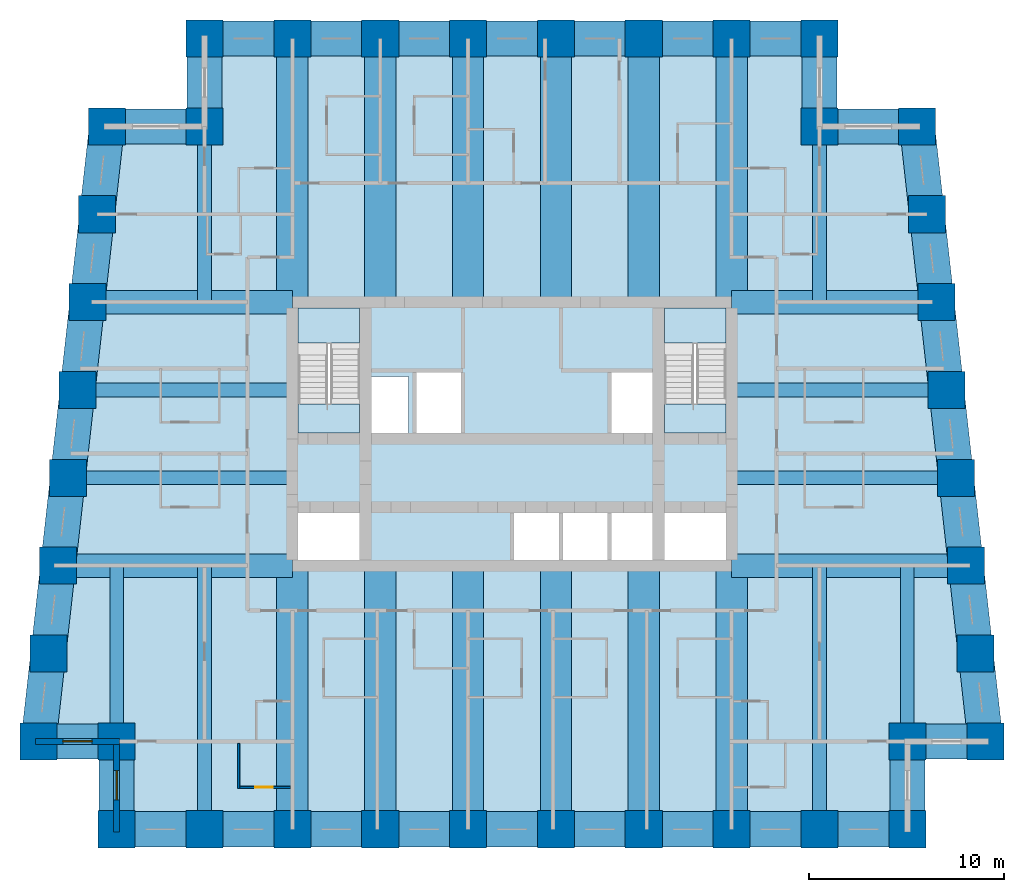
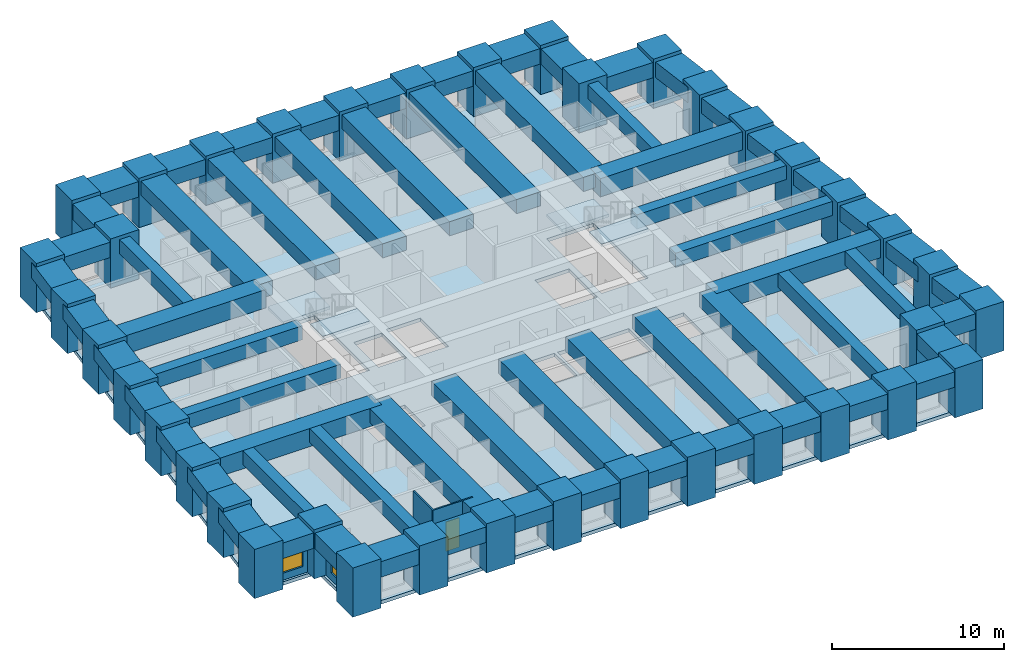
# One storey, part 1 of 8: 64 beams, 38 columns, 5 slabs, 4 walls, 2 windows, 1 door, 3 openings, 2 elements without a shape of their own.
"""IFC4 building model written with IfcOpenShell, lengths in metres."""

from ifc_helpers import new_model, si_unit, direction, frame, frame_2d, origin, origin_2d, place, context, subcontext, project, spatial, polyline, rectangle, outline, extrude, material, layer, layer_set, material_profile, profile_set, type_object, element, fill, aggregate, save


model = new_model("IFC4")

# Units and contexts
model_context = context("Model", 3, precision=1e-05, world=origin(), true_north=direction((0.0, 1.0)))
body_context = subcontext(model_context, "Body", "Model", "MODEL_VIEW")
ifc_project = project(units=[si_unit("LENGTHUNIT", "METRE"), si_unit("AREAUNIT", "SQUARE_METRE"), si_unit("VOLUMEUNIT", "CUBIC_METRE"), si_unit("PLANEANGLEUNIT", "RADIAN"), si_unit("MASSUNIT", "GRAM", prefix="KILO")], contexts=[model_context])

# Site, building, storey
site_placement = place(None, origin())
site = spatial("IfcSite", under=ifc_project, at=site_placement, CompositionType="ELEMENT")
building_placement = place(site_placement, origin())
building = spatial("IfcBuilding", under=site, at=building_placement, Name="Kilele Tower Hotel", CompositionType="ELEMENT")
storey_placement = place(building_placement, frame((0.0, 0.0, 107.39990234375)))
storey = spatial("IfcBuildingStorey", under=building, at=storey_placement, Name="L27", CompositionType="ELEMENT", Elevation=107.39990234375)

# Columns
ifc_material_1 = material(Name="Concrete C70/85", Category="concrete")
ifc_material_profile_1 = material_profile(ifc_material_1, rectangle(XDim=1.89990234375, YDim=1.89990234375, at=origin_2d()))
ifc_profile_set_1 = profile_set([ifc_material_profile_1], Name="Concrete C70/85")
column_type = type_object("IfcColumnType", Name="Tube column RC 1900x1900 C70/85", PredefinedType="COLUMN", material=ifc_profile_set_1)
for number, where, z_axis, x_axis, name in (
    (1, (0.5, 4.5, 0.0), (0.0, 0.0, 1.0), (1.0, 0.0, 0.0), "Column TC2 L27"),
    (2, (4.5, 4.5, 0.0), (0.0, 0.0, 1.0), (1.0, 0.0, 0.0), "Column TC2 L27"),
    (3, (4.5, 0.0, 0.0), (0.0, 0.0, 1.0), (1.0, 0.0, 0.0), "Column TC2 L27"),
    (4, (9.0, 0.0, 0.0), (0.0, 0.0, 1.0), (1.0, 0.0, 0.0), "Column TC2 L27"),
    (5, (13.5, 0.0, 0.0), (0.0, 0.0, 1.0), (1.0, 0.0, 0.0), "Column TC2 L27"),
    (6, (18.0, 0.0, 0.0), (0.0, 0.0, 1.0), (1.0, 0.0, 0.0), "Column TC2 L27"),
    (7, (22.5, 0.0, 0.0), (0.0, 0.0, 1.0), (1.0, 0.0, 0.0), "Column TC2 L27"),
    (8, (27.0, 0.0, 0.0), (0.0, 0.0, 1.0), (1.0, 0.0, 0.0), "Column TC2 L27"),
    (9, (31.5, 0.0, 0.0), (0.0, 0.0, 1.0), (1.0, 0.0, 0.0), "Column TC2 L27"),
    (10, (36.0, 0.0, 0.0), (0.0, 0.0, 1.0), (1.0, 0.0, 0.0), "Column TC2 L27"),
    (11, (40.5, 0.0, 0.0), (0.0, 0.0, 1.0), (1.0, 0.0, 0.0), "Column TC2 L27"),
    (12, (45.0, 0.0, 0.0), (0.0, 0.0, 1.0), (1.0, 0.0, 0.0), "Column TC2 L27"),
    (13, (45.0, 4.5, 0.0), (0.0, 0.0, 1.0), (1.0, 0.0, 0.0), "Column TC2 L27"),
    (14, (49.0, 4.5, 0.0), (0.0, 0.0, 1.0), (1.0, 0.0, 0.0), "Column TC2 L27"),
    (15, (48.5, 9.0, 0.0), (0.0, 0.0, 1.0), (1.0, 0.0, 0.0), "Column TC2 L27"),
    (16, (48.0, 13.5, 0.0), (0.0, 0.0, 1.0), (1.0, 0.0, 0.0), "Column TC2 L27"),
    (17, (47.5, 18.0, 0.0), (0.0, 0.0, 1.0), (1.0, 0.0, 0.0), "Column TC2 L27"),
    (18, (47.0, 22.5, 0.0), (0.0, 0.0, 1.0), (1.0, 0.0, 0.0), "Column TC2 L27"),
    (19, (46.5, 27.0, 0.0), (0.0, 0.0, 1.0), (1.0, 0.0, 0.0), "Column TC2 L27"),
    (20, (46.0, 31.5, 0.0), (0.0, 0.0, 1.0), (1.0, 0.0, 0.0), "Column TC2 L27"),
    (21, (45.5, 36.0, 0.0), (0.0, 0.0, 1.0), (1.0, 0.0, 0.0), "Column TC2 L27"),
    (22, (40.5, 36.0, 0.0), (0.0, 0.0, 1.0), (1.0, 0.0, 0.0), "Column TC2 L27"),
    (23, (40.5, 40.5, 0.0), (0.0, 0.0, 1.0), (1.0, 0.0, 0.0), "Column TC2 L27"),
    (24, (36.0, 40.5, 0.0), (0.0, 0.0, 1.0), (1.0, 0.0, 0.0), "Column TC2 L27"),
    (25, (31.5, 40.5, 0.0), (0.0, 0.0, 1.0), (1.0, 0.0, 0.0), "Column TC2 L27"),
    (26, (27.0, 40.5, 0.0), (0.0, 0.0, 1.0), (1.0, 0.0, 0.0), "Column TC2 L27"),
    (27, (22.5, 40.5, 0.0), (0.0, 0.0, 1.0), (1.0, 0.0, 0.0), "Column TC2 L27"),
    (28, (18.0, 40.5, 0.0), (0.0, 0.0, 1.0), (1.0, 0.0, 0.0), "Column TC2 L27"),
    (29, (13.5, 40.5, 0.0), (0.0, 0.0, 1.0), (1.0, 0.0, 0.0), "Column TC2 L27"),
    (30, (9.0, 40.5, 0.0), (0.0, 0.0, 1.0), (1.0, 0.0, 0.0), "Column TC2 L27"),
    (31, (9.0, 36.0, 0.0), (0.0, 0.0, 1.0), (1.0, 0.0, 0.0), "Column TC2 L27"),
    (32, (4.0, 36.0, 0.0), (0.0, 0.0, 1.0), (1.0, 0.0, 0.0), "Column TC2 L27"),
    (33, (3.5, 31.5, 0.0), (0.0, 0.0, 1.0), (1.0, 0.0, 0.0), "Column TC2 L27"),
    (34, (3.0, 27.0, 0.0), (0.0, 0.0, 1.0), (1.0, 0.0, 0.0), "Column TC2 L27"),
    (35, (2.5, 22.5, 0.0), (0.0, 0.0, 1.0), (1.0, 0.0, 0.0), "Column TC2 L27"),
    (36, (2.0, 18.0, 0.0), (0.0, 0.0, 1.0), (1.0, 0.0, 0.0), "Column TC2 L27"),
    (37, (1.5, 13.5, 0.0), (0.0, 0.0, 1.0), (1.0, 0.0, 0.0), "Column TC2 L27"),
    (38, (1.0, 9.0, 0.0), (0.0, 0.0, 1.0), (1.0, 0.0, 0.0), "Column TC2 L27"),
):
    element("IfcColumn", number, at=place(storey_placement, frame(where, z_axis=z_axis, x_axis=x_axis)), inside=storey, type_object=column_type, Name=name, PredefinedType="COLUMN", context=body_context, shape_type="SweptSolid", body=[
        extrude(rectangle(XDim=1.89990234375, YDim=1.89990234375, at=origin_2d()), origin(), (0.0, 0.0, 1.0), 3.5),
    ])

# Beams
ifc_material_2 = material(Name="Concrete C60/75", Category="concrete")
ifc_material_profile_2 = material_profile(ifc_material_2, rectangle(XDim=1.60009765625, YDim=1.0, at=origin_2d()))
ifc_profile_set_2 = profile_set([ifc_material_profile_2], Name="Concrete C60/75")
beam_type_1 = type_object("IfcBeamType", Name="Beam RC 1600x1000 C60/75", PredefinedType="BEAM", material=ifc_profile_set_2)
for number, where, z_axis, x_axis, name in (
    (39, (13.5, 0.0, 2.75), (0.0, 1.0, 0.0), (-1.0, 0.0, 0.0), "Beam BC1 level L28"),
    (40, (18.0, 0.0, 2.75), (0.0, 1.0, 0.0), (-1.0, 0.0, 0.0), "Beam BC1 level L28"),
    (41, (22.5, 0.0, 2.75), (0.0, 1.0, 0.0), (-1.0, 0.0, 0.0), "Beam BC1 level L28"),
    (42, (27.0, 0.0, 2.75), (0.0, 1.0, 0.0), (-1.0, 0.0, 0.0), "Beam BC1 level L28"),
    (43, (31.5, 0.0, 2.75), (0.0, 1.0, 0.0), (-1.0, 0.0, 0.0), "Beam BC1 level L28"),
    (44, (36.0, 0.0, 2.75), (0.0, 1.0, 0.0), (-1.0, 0.0, 0.0), "Beam BC1 level L28"),
    (45, (36.0, 40.5, 2.75), (0.0, -1.0, 0.0), (1.0, 0.0, 0.0), "Beam BC1 level L28"),
    (46, (31.5, 40.5, 2.75), (0.0, -1.0, 0.0), (1.0, 0.0, 0.0), "Beam BC1 level L28"),
    (47, (27.0, 40.5, 2.75), (0.0, -1.0, 0.0), (1.0, 0.0, 0.0), "Beam BC1 level L28"),
    (48, (22.5, 40.5, 2.75), (0.0, -1.0, 0.0), (1.0, 0.0, 0.0), "Beam BC1 level L28"),
    (49, (18.0, 40.5, 2.75), (0.0, -1.0, 0.0), (1.0, 0.0, 0.0), "Beam BC1 level L28"),
    (50, (13.5, 40.5, 2.75), (0.0, -1.0, 0.0), (1.0, 0.0, 0.0), "Beam BC1 level L28"),
):
    element("IfcBeam", number, at=place(storey_placement, frame(where, z_axis=z_axis, x_axis=x_axis)), inside=storey, type_object=beam_type_1, Name=name, PredefinedType="BEAM", context=body_context, shape_type="SweptSolid", body=[
        extrude(rectangle(XDim=1.60009765625, YDim=1.0, at=origin_2d()), origin(), (0.0, 0.0, 1.0), 13.5),
    ])
ifc_material_3 = material(Name="Concrete C60/75", Category="concrete")
ifc_material_profile_3 = material_profile(ifc_material_3, rectangle(XDim=0.699951171875, YDim=1.0, at=origin_2d()))
ifc_profile_set_3 = profile_set([ifc_material_profile_3], Name="Concrete C60/75")
beam_type_2 = type_object("IfcBeamType", Name="Beam RC 700x1000 C60/75", PredefinedType="BEAM", material=ifc_profile_set_3)
for number, where, z_axis, x_axis, name in (
    (51, (9.0, 0.0, 2.75), (0.0, 1.0, 0.0), (-1.0, 0.0, 0.0), "Beam B4 level L28"),
    (52, (40.5, 0.0, 2.75), (0.0, 1.0, 0.0), (-1.0, 0.0, 0.0), "Beam B4 level L28"),
):
    element("IfcBeam", number, at=place(storey_placement, frame(where, z_axis=z_axis, x_axis=x_axis)), inside=storey, type_object=beam_type_2, Name=name, PredefinedType="BEAM", context=body_context, shape_type="SweptSolid", body=[
        extrude(rectangle(XDim=0.699951171875, YDim=1.0, at=origin_2d()), origin(), (0.0, 0.0, 1.0), 13.5),
    ])
ifc_material_4 = material(Name="Concrete C60/75", Category="concrete")
ifc_material_profile_4 = material_profile(ifc_material_4, rectangle(XDim=0.699951171875, YDim=1.0, at=origin_2d()))
ifc_profile_set_4 = profile_set([ifc_material_profile_4], Name="Concrete C60/75")
beam_type_3 = type_object("IfcBeamType", Name="Beam RC 700x1000 C60/75 mid span", PredefinedType="BEAM", material=ifc_profile_set_4)
for number, where, z_axis, x_axis, name in (
    (53, (4.5, 4.5, 2.75), (0.0, 1.0, 0.0), (-1.0, 0.0, 0.0), "Beam B5 level L28"),
    (54, (45.0, 4.5, 2.75), (0.0, 1.0, 0.0), (-1.0, 0.0, 0.0), "Beam B5 level L28"),
):
    element("IfcBeam", number, at=place(storey_placement, frame(where, z_axis=z_axis, x_axis=x_axis)), inside=storey, type_object=beam_type_3, Name=name, PredefinedType="BEAM", context=body_context, shape_type="SweptSolid", body=[
        extrude(rectangle(XDim=0.699951171875, YDim=1.0, at=origin_2d()), origin(), (0.0, 0.0, 1.0), 9.0),
    ])
beam_1_placement = place(storey_placement, frame((47.5, 18.0, 2.75), z_axis=(-1.0, 0.0, 0.0), x_axis=(0.0, -1.0, 0.0)))
element("IfcBeam", 55, at=beam_1_placement, inside=storey, type_object=beam_type_3, Name="Beam B5 level L28", PredefinedType="BEAM", context=body_context, shape_type="SweptSolid", body=[
    extrude(rectangle(XDim=0.699951171875, YDim=1.0, at=origin_2d()), origin(), (0.0, 0.0, 1.0), 11.5),
])
beam_2_placement = place(storey_placement, frame((47.0, 22.5, 2.75), z_axis=(-1.0, 0.0, 0.0), x_axis=(0.0, -1.0, 0.0)))
element("IfcBeam", 56, at=beam_2_placement, inside=storey, type_object=beam_type_3, Name="Beam B5 level L28", PredefinedType="BEAM", context=body_context, shape_type="SweptSolid", body=[
    extrude(rectangle(XDim=0.699951171875, YDim=1.0, at=origin_2d()), origin(), (0.0, 0.0, 1.0), 11.0),
])
for number, where, z_axis, x_axis, name in (
    (57, (40.5, 36.0, 2.75), (0.0, -1.0, 0.0), (1.0, 0.0, 0.0), "Beam B5 level L28"),
    (58, (9.0, 36.0, 2.75), (0.0, -1.0, 0.0), (1.0, 0.0, 0.0), "Beam B5 level L28"),
):
    element("IfcBeam", number, at=place(storey_placement, frame(where, z_axis=z_axis, x_axis=x_axis)), inside=storey, type_object=beam_type_3, Name=name, PredefinedType="BEAM", context=body_context, shape_type="SweptSolid", body=[
        extrude(rectangle(XDim=0.699951171875, YDim=1.0, at=origin_2d()), origin(), (0.0, 0.0, 1.0), 9.0),
    ])
beam_3_placement = place(storey_placement, frame((2.5, 22.5, 2.75), z_axis=(1.0, 0.0, 0.0), x_axis=(0.0, 1.0, 0.0)))
element("IfcBeam", 59, at=beam_3_placement, inside=storey, type_object=beam_type_3, Name="Beam B5 level L28", PredefinedType="BEAM", context=body_context, shape_type="SweptSolid", body=[
    extrude(rectangle(XDim=0.699951171875, YDim=1.0, at=origin_2d()), origin(), (0.0, 0.0, 1.0), 11.0),
])
beam_4_placement = place(storey_placement, frame((2.0, 18.0, 2.75), z_axis=(1.0, 0.0, 0.0), x_axis=(0.0, 1.0, 0.0)))
element("IfcBeam", 60, at=beam_4_placement, inside=storey, type_object=beam_type_3, Name="Beam B5 level L28", PredefinedType="BEAM", context=body_context, shape_type="SweptSolid", body=[
    extrude(rectangle(XDim=0.699951171875, YDim=1.0, at=origin_2d()), origin(), (0.0, 0.0, 1.0), 11.5),
])
ifc_material_5 = material(Name="Concrete C60/75", Category="concrete")
ifc_material_profile_5 = material_profile(ifc_material_5, rectangle(XDim=1.199951171875, YDim=1.300048828125, at=origin_2d()))
ifc_profile_set_5 = profile_set([ifc_material_profile_5], Name="Concrete C60/75")
beam_type_4 = type_object("IfcBeamType", Name="Girder RC 1200x1300 C60/75", PredefinedType="BEAM", material=ifc_profile_set_5)
for number, where, z_axis, x_axis, name in (
    (61, (48.0, 13.5, 2.60009765625), (-1.0, 0.0, 0.0), (0.0, -1.0, 0.0), "Girder G1 level L28"),
    (62, (1.5, 13.5, 2.60009765625), (1.0, 0.0, 0.0), (0.0, 1.0, 0.0), "Girder G1 level L28"),
):
    element("IfcBeam", number, at=place(storey_placement, frame(where, z_axis=z_axis, x_axis=x_axis)), inside=storey, type_object=beam_type_4, Name=name, PredefinedType="BEAM", context=body_context, shape_type="SweptSolid", body=[
        extrude(rectangle(XDim=1.199951171875, YDim=1.300048828125, at=origin_2d()), origin(), (0.0, 0.0, 1.0), 12.0),
    ])
ifc_material_6 = material(Name="Concrete C60/75", Category="concrete")
ifc_material_profile_6 = material_profile(ifc_material_6, rectangle(XDim=1.199951171875, YDim=1.300048828125, at=origin_2d()))
ifc_profile_set_6 = profile_set([ifc_material_profile_6], Name="Concrete C60/75")
beam_type_5 = type_object("IfcBeamType", Name="Girder RC 1200x1300 C60/75 mid span", PredefinedType="BEAM", material=ifc_profile_set_6)
for number, where, z_axis, x_axis, name in (
    (63, (46.5, 27.0, 2.60009765625), (-1.0, 0.0, 0.0), (0.0, -1.0, 0.0), "Girder G3 level L28"),
    (64, (3.0, 27.0, 2.60009765625), (1.0, 0.0, 0.0), (0.0, 1.0, 0.0), "Girder G3 level L28"),
):
    element("IfcBeam", number, at=place(storey_placement, frame(where, z_axis=z_axis, x_axis=x_axis)), inside=storey, type_object=beam_type_5, Name=name, PredefinedType="BEAM", context=body_context, shape_type="SweptSolid", body=[
        extrude(rectangle(XDim=1.199951171875, YDim=1.300048828125, at=origin_2d()), origin(), (0.0, 0.0, 1.0), 10.5),
    ])
ifc_material_7 = material(Name="Concrete C60/75", Category="concrete")
ifc_material_profile_7 = material_profile(ifc_material_7, rectangle(XDim=1.800048828125, YDim=1.10009765625, at=origin_2d()))
ifc_profile_set_7 = profile_set([ifc_material_profile_7], Name="Concrete C60/75")
beam_type_6 = type_object("IfcBeamType", Name="Spandrel RC 1800x1100 C60/75", PredefinedType="SPANDREL", material=ifc_profile_set_7)
beam_5_placement = place(storey_placement, frame((0.5, 4.5, 2.7001953125), z_axis=(1.0, 0.0, 0.0), x_axis=(0.0, 1.0, 0.0)))
element("IfcBeam", 65, at=beam_5_placement, inside=storey, type_object=beam_type_6, Name="Spandrel SP4 level L28", PredefinedType="SPANDREL", context=body_context, shape_type="SweptSolid", body=[
    extrude(rectangle(XDim=1.800048828125, YDim=1.10009765625, at=origin_2d()), origin(), (0.0, 0.0, 1.0), 4.0),
])
for number, where, z_axis, x_axis, name in (
    (66, (4.5, 4.5, 2.7001953125), (0.0, -1.0, 0.0), (1.0, 0.0, 0.0), "Spandrel SP4 level L28"),
    (67, (4.5, 0.0, 2.7001953125), (1.0, 0.0, 0.0), (0.0, 1.0, 0.0), "Spandrel SP4 level L28"),
    (68, (9.0, 0.0, 2.7001953125), (1.0, 0.0, 0.0), (0.0, 1.0, 0.0), "Spandrel SP4 level L28"),
    (69, (13.5, 0.0, 2.7001953125), (1.0, 0.0, 0.0), (0.0, 1.0, 0.0), "Spandrel SP4 level L28"),
    (70, (18.0, 0.0, 2.7001953125), (1.0, 0.0, 0.0), (0.0, 1.0, 0.0), "Spandrel SP4 level L28"),
    (71, (22.5, 0.0, 2.7001953125), (1.0, 0.0, 0.0), (0.0, 1.0, 0.0), "Spandrel SP4 level L28"),
    (72, (27.0, 0.0, 2.7001953125), (1.0, 0.0, 0.0), (0.0, 1.0, 0.0), "Spandrel SP4 level L28"),
    (73, (31.5, 0.0, 2.7001953125), (1.0, 0.0, 0.0), (0.0, 1.0, 0.0), "Spandrel SP4 level L28"),
    (74, (36.0, 0.0, 2.7001953125), (1.0, 0.0, 0.0), (0.0, 1.0, 0.0), "Spandrel SP4 level L28"),
    (75, (40.5, 0.0, 2.7001953125), (1.0, 0.0, 0.0), (0.0, 1.0, 0.0), "Spandrel SP4 level L28"),
    (76, (45.0, 0.0, 2.7001953125), (0.0, 1.0, 0.0), (-1.0, 0.0, 0.0), "Spandrel SP4 level L28"),
):
    element("IfcBeam", number, at=place(storey_placement, frame(where, z_axis=z_axis, x_axis=x_axis)), inside=storey, type_object=beam_type_6, Name=name, PredefinedType="SPANDREL", context=body_context, shape_type="SweptSolid", body=[
        extrude(rectangle(XDim=1.800048828125, YDim=1.10009765625, at=origin_2d()), origin(), (0.0, 0.0, 1.0), 4.5),
    ])
beam_6_placement = place(storey_placement, frame((45.0, 4.5, 2.7001953125), z_axis=(1.0, 0.0, 0.0), x_axis=(0.0, 1.0, 0.0)))
element("IfcBeam", 77, at=beam_6_placement, inside=storey, type_object=beam_type_6, Name="Spandrel SP4 level L28", PredefinedType="SPANDREL", context=body_context, shape_type="SweptSolid", body=[
    extrude(rectangle(XDim=1.800048828125, YDim=1.10009765625, at=origin_2d()), origin(), (0.0, 0.0, 1.0), 4.0),
])
for number, where, z_axis, x_axis, name in (
    (78, (49.0, 4.5, 2.7001953125), (-0.110431526075, 0.993883734674, 0.0), (-0.993883734674, -0.110431526075, 0.0), "Spandrel SP4 level L28"),
    (79, (48.5, 9.0, 2.7001953125), (-0.110431526075, 0.993883734674, 0.0), (-0.993883734674, -0.110431526075, 0.0), "Spandrel SP4 level L28"),
    (80, (48.0, 13.5, 2.7001953125), (-0.110431526075, 0.993883734674, 0.0), (-0.993883734674, -0.110431526075, 0.0), "Spandrel SP4 level L28"),
    (81, (47.5, 18.0, 2.7001953125), (-0.110431526075, 0.993883734674, 0.0), (-0.993883734674, -0.110431526075, 0.0), "Spandrel SP4 level L28"),
    (82, (47.0, 22.5, 2.7001953125), (-0.110431526075, 0.993883734674, 0.0), (-0.993883734674, -0.110431526075, 0.0), "Spandrel SP4 level L28"),
    (83, (46.5, 27.0, 2.7001953125), (-0.110431526075, 0.993883734674, 0.0), (-0.993883734674, -0.110431526075, 0.0), "Spandrel SP4 level L28"),
    (84, (46.0, 31.5, 2.7001953125), (-0.110431526075, 0.993883734674, 0.0), (-0.993883734674, -0.110431526075, 0.0), "Spandrel SP4 level L28"),
):
    element("IfcBeam", number, at=place(storey_placement, frame(where, z_axis=z_axis, x_axis=x_axis)), inside=storey, type_object=beam_type_6, Name=name, PredefinedType="SPANDREL", context=body_context, shape_type="SweptSolid", body=[
        extrude(rectangle(XDim=1.800048828125, YDim=1.10009765625, at=origin_2d()), origin(), (0.0, 0.0, 1.0), 4.527587890625),
    ])
beam_7_placement = place(storey_placement, frame((45.5, 36.0, 2.7001953125), z_axis=(-1.0, 0.0, 0.0), x_axis=(0.0, -1.0, 0.0)))
element("IfcBeam", 85, at=beam_7_placement, inside=storey, type_object=beam_type_6, Name="Spandrel SP4 level L28", PredefinedType="SPANDREL", context=body_context, shape_type="SweptSolid", body=[
    extrude(rectangle(XDim=1.800048828125, YDim=1.10009765625, at=origin_2d()), origin(), (0.0, 0.0, 1.0), 5.0),
])
for number, where, z_axis, x_axis, name in (
    (86, (40.5, 36.0, 2.7001953125), (0.0, 1.0, 0.0), (-1.0, 0.0, 0.0), "Spandrel SP4 level L28"),
    (87, (40.5, 40.5, 2.7001953125), (-1.0, 0.0, 0.0), (0.0, -1.0, 0.0), "Spandrel SP4 level L28"),
    (88, (36.0, 40.5, 2.7001953125), (-1.0, 0.0, 0.0), (0.0, -1.0, 0.0), "Spandrel SP4 level L28"),
    (89, (31.5, 40.5, 2.7001953125), (-1.0, 0.0, 0.0), (0.0, -1.0, 0.0), "Spandrel SP4 level L28"),
    (90, (27.0, 40.5, 2.7001953125), (-1.0, 0.0, 0.0), (0.0, -1.0, 0.0), "Spandrel SP4 level L28"),
    (91, (22.5, 40.5, 2.7001953125), (-1.0, 0.0, 0.0), (0.0, -1.0, 0.0), "Spandrel SP4 level L28"),
    (92, (18.0, 40.5, 2.7001953125), (-1.0, 0.0, 0.0), (0.0, -1.0, 0.0), "Spandrel SP4 level L28"),
    (93, (13.5, 40.5, 2.7001953125), (-1.0, 0.0, 0.0), (0.0, -1.0, 0.0), "Spandrel SP4 level L28"),
    (94, (9.0, 40.5, 2.7001953125), (0.0, -1.0, 0.0), (1.0, 0.0, 0.0), "Spandrel SP4 level L28"),
):
    element("IfcBeam", number, at=place(storey_placement, frame(where, z_axis=z_axis, x_axis=x_axis)), inside=storey, type_object=beam_type_6, Name=name, PredefinedType="SPANDREL", context=body_context, shape_type="SweptSolid", body=[
        extrude(rectangle(XDim=1.800048828125, YDim=1.10009765625, at=origin_2d()), origin(), (0.0, 0.0, 1.0), 4.5),
    ])
beam_8_placement = place(storey_placement, frame((9.0, 36.0, 2.7001953125), z_axis=(-1.0, 0.0, 0.0), x_axis=(0.0, -1.0, 0.0)))
element("IfcBeam", 95, at=beam_8_placement, inside=storey, type_object=beam_type_6, Name="Spandrel SP4 level L28", PredefinedType="SPANDREL", context=body_context, shape_type="SweptSolid", body=[
    extrude(rectangle(XDim=1.800048828125, YDim=1.10009765625, at=origin_2d()), origin(), (0.0, 0.0, 1.0), 5.0),
])
for number, where, z_axis, x_axis, name in (
    (96, (4.0, 36.0, 2.7001953125), (-0.110431526075, -0.993883734674, 0.0), (0.993883734674, -0.110431526075, 0.0), "Spandrel SP4 level L28"),
    (97, (3.5, 31.5, 2.7001953125), (-0.110431526075, -0.993883734674, 0.0), (0.993883734674, -0.110431526075, 0.0), "Spandrel SP4 level L28"),
    (98, (3.0, 27.0, 2.7001953125), (-0.110431526075, -0.993883734674, 0.0), (0.993883734674, -0.110431526075, 0.0), "Spandrel SP4 level L28"),
    (99, (2.5, 22.5, 2.7001953125), (-0.110431526075, -0.993883734674, 0.0), (0.993883734674, -0.110431526075, 0.0), "Spandrel SP4 level L28"),
    (100, (2.0, 18.0, 2.7001953125), (-0.110431526075, -0.993883734674, 0.0), (0.993883734674, -0.110431526075, 0.0), "Spandrel SP4 level L28"),
    (101, (1.5, 13.5, 2.7001953125), (-0.110431526075, -0.993883734674, 0.0), (0.993883734674, -0.110431526075, 0.0), "Spandrel SP4 level L28"),
    (102, (1.0, 9.0, 2.7001953125), (-0.110431526075, -0.993883734674, 0.0), (0.993883734674, -0.110431526075, 0.0), "Spandrel SP4 level L28"),
):
    element("IfcBeam", number, at=place(storey_placement, frame(where, z_axis=z_axis, x_axis=x_axis)), inside=storey, type_object=beam_type_6, Name=name, PredefinedType="SPANDREL", context=body_context, shape_type="SweptSolid", body=[
        extrude(rectangle(XDim=1.800048828125, YDim=1.10009765625, at=origin_2d()), origin(), (0.0, 0.0, 1.0), 4.527587890625),
    ])

# Slab
ifc_material_8 = material(Name="Concrete C60/75", Category="concrete")
ifc_layer_1 = layer(ifc_material_8, 0.25)
ifc_layer_set_1 = layer_set([ifc_layer_1], Name="Concrete C60/75")
slab_type_1 = type_object("IfcSlabType", Name="Floor slab 250", PredefinedType="FLOOR", material=ifc_layer_set_1)
slab_1_placement = place(storey_placement, frame((0.0, 0.0, -0.25)))
element("IfcSlab", 103, at=slab_1_placement, inside=storey, type_object=slab_type_1, Name="Floor slab L27", PredefinedType="FLOOR", context=body_context, shape_type="SweptSolid", body=[
    extrude(outline(polyline([(8.699951171875, 36.300048828125), (8.699951171875, 40.800048828125), (40.800048828125, 40.800048828125), (40.800048828125, 36.300048828125), (45.7685546875, 36.300048828125), (49.335205078125, 4.199951171875), (45.300048828125, 4.199951171875), (45.300048828125, -0.300048828125), (4.199951171875, -0.300048828125), (4.199951171875, 4.199951171875), (0.164794921875, 4.199951171875), (3.7314453125, 36.300048828125), (8.699951171875, 36.300048828125)]), holes=[polyline([(16.949951171875, 16.199951171875), (13.800048828125, 16.199951171875), (13.800048828125, 13.800048828125), (16.949951171875, 13.800048828125), (16.949951171875, 16.199951171875)]), polyline([(35.699951171875, 16.199951171875), (32.550048828125, 16.199951171875), (32.550048828125, 13.800048828125), (35.699951171875, 13.800048828125), (35.699951171875, 16.199951171875)]), polyline([(27.14990234375, 16.39990234375), (24.85009765625, 16.39990234375), (24.85009765625, 13.800048828125), (27.14990234375, 13.800048828125), (27.14990234375, 16.39990234375)]), polyline([(29.64990234375, 13.800048828125), (29.64990234375, 16.39990234375), (27.35009765625, 16.39990234375), (27.35009765625, 13.800048828125), (29.64990234375, 13.800048828125)]), polyline([(32.14990234375, 13.800048828125), (32.14990234375, 16.39990234375), (29.85009765625, 16.39990234375), (29.85009765625, 13.800048828125), (32.14990234375, 13.800048828125)]), polyline([(19.449951171875, 23.199951171875), (17.550048828125, 23.199951171875), (17.550048828125, 20.300048828125), (19.449951171875, 20.300048828125), (19.449951171875, 23.199951171875)]), polyline([(22.14990234375, 23.39990234375), (19.85009765625, 23.39990234375), (19.85009765625, 20.10009765625), (22.14990234375, 20.10009765625), (22.14990234375, 23.39990234375)]), polyline([(32.14990234375, 23.39990234375), (29.85009765625, 23.39990234375), (29.85009765625, 20.10009765625), (32.14990234375, 20.10009765625), (32.14990234375, 23.39990234375)]), polyline([(16.949951171875, 20.300048828125), (16.949951171875, 26.699951171875), (13.800048828125, 26.699951171875), (13.800048828125, 20.300048828125), (16.949951171875, 20.300048828125)]), polyline([(35.699951171875, 20.300048828125), (35.699951171875, 26.699951171875), (32.550048828125, 26.699951171875), (32.550048828125, 20.300048828125), (35.699951171875, 20.300048828125)])]), origin(), (0.0, 0.0, 1.0), 0.25),
])

# Stair, slabs
ifc_material_9 = material(Name="Precast concrete C40/50", Category="concrete")
stair_type = type_object("IfcStairType", Name="Stair 1475 x 3500", PredefinedType="HALF_TURN_STAIR", material=ifc_material_9)
stair_1_placement = place(storey_placement, origin())
stair_1 = element("IfcStair", 104, at=stair_1_placement, inside=storey, type_object=stair_type, Name="Stair 1 L27", PredefinedType="HALF_TURN_STAIR")
ifc_material_10 = material(Name="Precast concrete C40/50", Category="concrete")
ifc_layer_2 = layer(ifc_material_10, 0.199951171875)
ifc_layer_set_2 = layer_set([ifc_layer_2], Name="Precast concrete C40/50")
slab_type_2 = type_object("IfcSlabType", Name="Stair landing 200", PredefinedType="LANDING", material=ifc_layer_set_2)
slab_2_placement = place(storey_placement, frame((0.0, 0.0, 1.550048828125)))
slab_2 = element("IfcSlab", 105, at=slab_2_placement, type_object=slab_type_2, Name="ST1 landing 1", PredefinedType="LANDING", context=body_context, shape_type="SweptSolid", body=[
    extrude(outline(polyline([(13.800048828125, 24.89501953125), (16.949951171875, 24.89501953125), (16.949951171875, 26.699951171875), (13.800048828125, 26.699951171875), (13.800048828125, 24.89501953125)])), origin(), (0.0, 0.0, 1.0), 0.199951171875),
])
slab_3_placement = place(storey_placement, frame((0.0, 0.0, 3.300048828125)))
slab_3 = element("IfcSlab", 106, at=slab_3_placement, type_object=slab_type_2, Name="ST1 landing 2", PredefinedType="LANDING", context=body_context, shape_type="SweptSolid", body=[
    extrude(outline(polyline([(13.800048828125, 20.300048828125), (16.949951171875, 20.300048828125), (16.949951171875, 21.77490234375), (13.800048828125, 21.77490234375), (13.800048828125, 20.300048828125)])), origin(), (0.0, 0.0, 1.0), 0.199951171875),
])
aggregate(stair_1, [slab_2, slab_3])

stair_2_placement = place(storey_placement, origin())
stair_2 = element("IfcStair", 107, at=stair_2_placement, inside=storey, type_object=stair_type, Name="Stair 2 L27", PredefinedType="HALF_TURN_STAIR")
slab_4_placement = place(storey_placement, frame((0.0, 0.0, 1.550048828125)))
slab_4 = element("IfcSlab", 108, at=slab_4_placement, type_object=slab_type_2, Name="ST2 landing 1", PredefinedType="LANDING", context=body_context, shape_type="SweptSolid", body=[
    extrude(outline(polyline([(32.550048828125, 24.89501953125), (35.699951171875, 24.89501953125), (35.699951171875, 26.699951171875), (32.550048828125, 26.699951171875), (32.550048828125, 24.89501953125)])), origin(), (0.0, 0.0, 1.0), 0.199951171875),
])
slab_5_placement = place(storey_placement, frame((0.0, 0.0, 3.300048828125)))
slab_5 = element("IfcSlab", 109, at=slab_5_placement, type_object=slab_type_2, Name="ST2 landing 2", PredefinedType="LANDING", context=body_context, shape_type="SweptSolid", body=[
    extrude(outline(polyline([(32.550048828125, 20.300048828125), (35.699951171875, 20.300048828125), (35.699951171875, 21.77490234375), (32.550048828125, 21.77490234375), (32.550048828125, 20.300048828125)])), origin(), (0.0, 0.0, 1.0), 0.199951171875),
])
aggregate(stair_2, [slab_4, slab_5])

# Wall
ifc_material_11 = material(Name="Moisture-resistant board")
ifc_layer_3 = layer(ifc_material_11, 0.10009765625)
ifc_layer_set_3 = layer_set([ifc_layer_3], Name="Moisture-resistant board")
wall_type_1 = type_object("IfcWallType", Name="Bathroom partition 100", PredefinedType="PLUMBINGWALL", material=ifc_layer_set_3)
wall_1_placement = place(storey_placement, frame((10.75, 4.39990234375, 0.0), z_axis=(0.0, 0.0, 1.0), x_axis=(0.0, -1.0, 0.0)))
element("IfcWall", 110, at=wall_1_placement, inside=storey, type_object=wall_type_1, Name="Bathroom partition 100 L27", PredefinedType="PLUMBINGWALL", context=body_context, shape_type="SweptSolid", body=[
    extrude(rectangle(XDim=2.2998046875, YDim=0.10009765625, at=frame_2d((1.14990234375, 0.0))), origin(), (0.0, 0.0, 1.0), 3.25),
])

# Wall, opening, door
wall_2_placement = place(storey_placement, frame((13.39990234375, 2.14990234375, 0.0), z_axis=(0.0, 0.0, 1.0), x_axis=(-1.0, 0.0, 0.0)))
wall_2 = element("IfcWall", 111, at=wall_2_placement, inside=storey, type_object=wall_type_1, Name="Bathroom partition 100 L27", PredefinedType="PLUMBINGWALL", context=body_context, shape_type="SweptSolid", body=[
    extrude(rectangle(XDim=2.699951171875, YDim=0.10009765625, at=frame_2d((1.35009765625, 0.0))), origin(), (0.0, 0.0, 1.0), 3.25),
])
opening_1_placement = place(wall_2_placement, frame((0.89990234375, 0.0, 0.0)))
opening_1 = element("IfcOpeningElement", 112, at=opening_1_placement, cuts=wall_2, Name="Opening D2A", PredefinedType="OPENING", context=body_context, shape_type="SweptSolid", body=[
    extrude(rectangle(XDim=0.89990234375, YDim=2.10009765625, at=frame_2d((0.449951171875, 1.050048828125))), frame((0.0, 0.06005859375, 0.0), z_axis=(0.0, -1.0, 0.0), x_axis=(1.0, 0.0, 0.0)), (0.0, 0.0, 1.0), 0.1201171875),
])
ifc_material_12 = material(Name="Timber door leaf in hardwood frame", Category="wood")
door_type = type_object("IfcDoorType", Name="Bathroom door 900", OperationType="SINGLE_SWING_LEFT", PredefinedType="DOOR", material=ifc_material_12)
door_placement = place(opening_1_placement, origin())
door = element("IfcDoor", 113, at=door_placement, inside=storey, type_object=door_type, Name="Bathroom door 2719B", OperationType="SINGLE_SWING_LEFT", OverallHeight=2.10009765625, OverallWidth=0.89990234375, PredefinedType="DOOR", context=body_context, shape_type="SweptSolid", body=[
    extrude(rectangle(XDim=0.89990234375, YDim=2.10009765625, at=frame_2d((0.449951171875, 1.050048828125))), frame((0.0, 0.02490234375, 0.0), z_axis=(0.0, -1.0, 0.0), x_axis=(1.0, 0.0, 0.0)), (0.0, 0.0, 1.0), 0.050048828125),
])
fill(opening_1, door)

# Wall, opening, window
ifc_material_13 = material(Name="Concrete C40/50 precast", Category="concrete")
ifc_layer_4 = layer(ifc_material_13, 0.260009765625, Name="Precast backing", Category="LoadBearing")
ifc_material_14 = material(Name="Reconstituted stone finish", Category="masonry")
ifc_layer_5 = layer(ifc_material_14, 0.0400390625, Name="Face mix", Category="Finish")
ifc_layer_set_4 = layer_set([ifc_layer_4, ifc_layer_5], Name="Precast concrete C40/50, reconstituted stone finish")
wall_type_2 = type_object("IfcWallType", Name="Precast stone facade wall 300", PredefinedType="STANDARD", material=ifc_layer_set_4)
wall_3_placement = place(storey_placement, frame((0.35009765625, 4.5, 0.0), z_axis=(0.0, 0.0, 1.0), x_axis=(1.0, 0.0, 0.0)))
wall_3 = element("IfcWall", 114, at=wall_3_placement, inside=storey, type_object=wall_type_2, Name="Facade wall L27 edge 1", PredefinedType="STANDARD", context=body_context, shape_type="SweptSolid", body=[
    extrude(rectangle(XDim=4.2998046875, YDim=0.300048828125, at=frame_2d((2.14990234375, 0.0))), origin(), (0.0, 0.0, 1.0), 2.150146484375),
])
opening_2_placement = place(wall_3_placement, frame((1.39990234375, 0.0, 0.5)))
opening_2 = element("IfcOpeningElement", 115, at=opening_2_placement, cuts=wall_3, Name="Opening W2", PredefinedType="OPENING", context=body_context, shape_type="SweptSolid", body=[
    extrude(rectangle(XDim=1.5, YDim=1.5, at=frame_2d((0.75, 0.75))), frame((0.0, 0.159912109375, 0.0), z_axis=(0.0, -1.0, 0.0), x_axis=(1.0, 0.0, 0.0)), (0.0, 0.0, 1.0), 0.320068359375),
])
ifc_material_15 = material(Name="Aluminium frame, clear double glazing", Category="aluminium")
window_type = type_object("IfcWindowType", Name="Window W2 1500 x 1500", PartitioningType="SINGLE_PANEL", PredefinedType="WINDOW", material=ifc_material_15)
window_1_placement = place(opening_2_placement, origin())
window_1 = element("IfcWindow", 116, at=window_1_placement, inside=storey, type_object=window_type, Name="Window L27", OverallHeight=1.5, OverallWidth=1.5, PartitioningType="SINGLE_PANEL", PredefinedType="WINDOW", context=body_context, shape_type="SweptSolid", body=[
    extrude(rectangle(XDim=1.5, YDim=1.5, at=frame_2d((0.75, 0.75))), frame((0.0, 0.030029296875, 0.0), z_axis=(0.0, -1.0, 0.0), x_axis=(1.0, 0.0, 0.0)), (0.0, 0.0, 1.0), 0.06005859375),
])
fill(opening_2, window_1)

wall_4_placement = place(storey_placement, frame((4.5, 4.64990234375, 0.0), z_axis=(0.0, 0.0, 1.0), x_axis=(0.0, -1.0, 0.0)))
wall_4 = element("IfcWall", 117, at=wall_4_placement, inside=storey, type_object=wall_type_2, Name="Facade wall L27 edge 2", PredefinedType="STANDARD", context=body_context, shape_type="SweptSolid", body=[
    extrude(rectangle(XDim=4.7998046875, YDim=0.300048828125, at=frame_2d((2.39990234375, 0.0))), origin(), (0.0, 0.0, 1.0), 2.150146484375),
])
opening_3_placement = place(wall_4_placement, frame((1.64990234375, 0.0, 0.5)))
opening_3 = element("IfcOpeningElement", 118, at=opening_3_placement, cuts=wall_4, Name="Opening W2", PredefinedType="OPENING", context=body_context, shape_type="SweptSolid", body=[
    extrude(rectangle(XDim=1.5, YDim=1.5, at=frame_2d((0.75, 0.75))), frame((0.0, 0.159912109375, 0.0), z_axis=(0.0, -1.0, 0.0), x_axis=(1.0, 0.0, 0.0)), (0.0, 0.0, 1.0), 0.320068359375),
])
window_2_placement = place(opening_3_placement, origin())
window_2 = element("IfcWindow", 119, at=window_2_placement, inside=storey, type_object=window_type, Name="Window L27", OverallHeight=1.5, OverallWidth=1.5, PartitioningType="SINGLE_PANEL", PredefinedType="WINDOW", context=body_context, shape_type="SweptSolid", body=[
    extrude(rectangle(XDim=1.5, YDim=1.5, at=frame_2d((0.75, 0.75))), frame((0.0, 0.030029296875, 0.0), z_axis=(0.0, -1.0, 0.0), x_axis=(1.0, 0.0, 0.0)), (0.0, 0.0, 1.0), 0.06005859375),
])
fill(opening_3, window_2)

save(model, "model.ifc")
